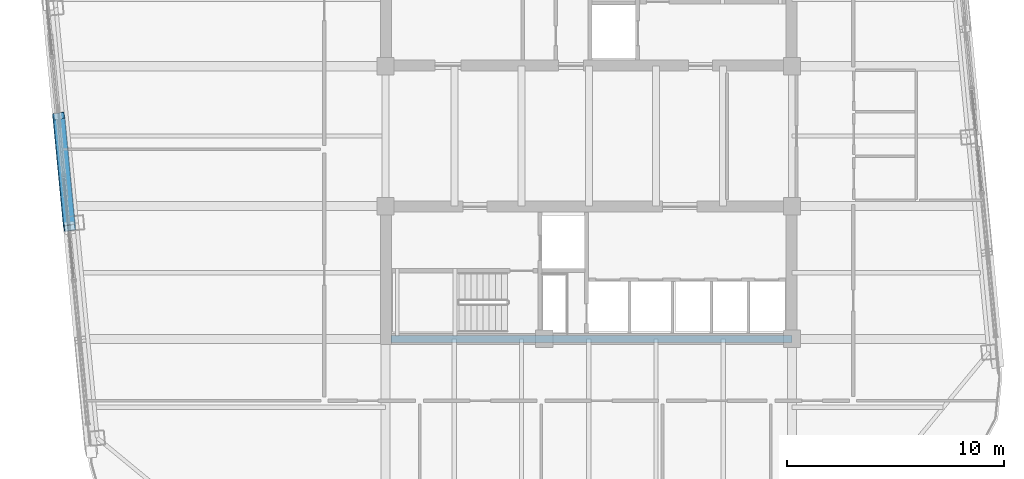
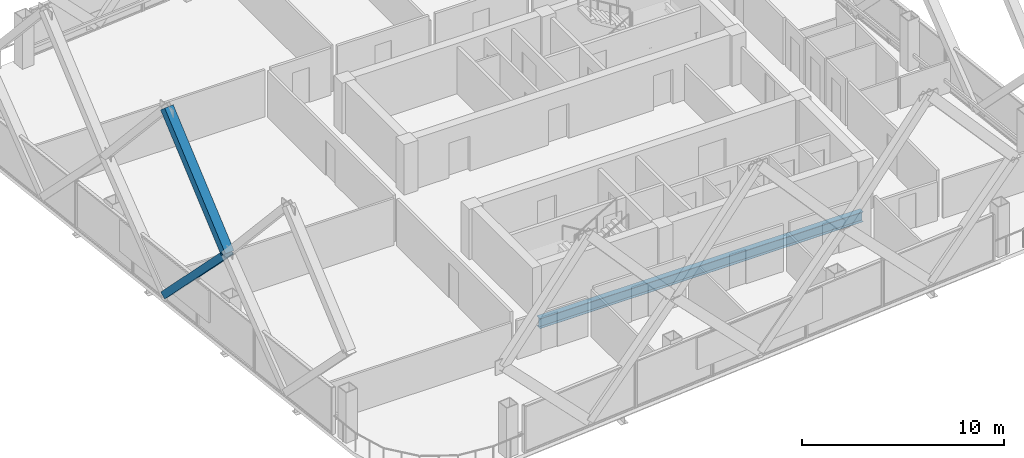
# One storey, part 8 of 34: 2 members, 1 beam.
"""IFC4 building model written with IfcOpenShell, lengths in metres."""

from ifc_helpers import new_model, si_unit, direction, frame, origin, origin_2d, place, context, subcontext, project, spatial, hollow_rectangle, i_section, extrude, material, material_profile, profile_set, type_object, element, save


model = new_model("IFC4")

# Units and contexts
model_context = context("Model", 3, precision=1e-05, world=origin(), true_north=direction((0.0, 1.0)))
body_context = subcontext(model_context, "Body", "Model", "MODEL_VIEW")
ifc_project = project(units=[si_unit("LENGTHUNIT", "METRE"), si_unit("AREAUNIT", "SQUARE_METRE"), si_unit("VOLUMEUNIT", "CUBIC_METRE"), si_unit("PLANEANGLEUNIT", "RADIAN"), si_unit("MASSUNIT", "GRAM", prefix="KILO")], contexts=[model_context])

# Site, building, storey
site_placement = place(None, origin())
site = spatial("IfcSite", under=ifc_project, at=site_placement, CompositionType="ELEMENT")
building_placement = place(site_placement, origin())
building = spatial("IfcBuilding", under=site, at=building_placement, Name="Qhalaya Broadcast Tower", CompositionType="ELEMENT")
storey_placement = place(building_placement, frame((0.0, 0.0, 168.35009765625)))
storey = spatial("IfcBuildingStorey", under=building, at=storey_placement, Name="L49", CompositionType="ELEMENT", Elevation=168.35009765625)

# Beam
ifc_material_1 = material(Name="Structural Steel ASTM A992 Grade 50", Category="steel")
ifc_material_profile_1 = material_profile(ifc_material_1, i_section(OverallWidth=0.323974609375, OverallDepth=0.612060546875, WebThickness=0.0126953125, FlangeThickness=0.01904296875, at=origin_2d()), Name="W24X104")
ifc_profile_set_1 = profile_set([ifc_material_profile_1], Name="Structural Steel ASTM A992 Grade 50")
beam_type = type_object("IfcBeamType", Name="Core Frame Tie Beam B04", PredefinedType="BEAM", material=ifc_profile_set_1)
beam_placement = place(storey_placement, frame((-9.1201171875, -8.75, -0.526123046875), z_axis=(1.0, 0.0, 0.0), x_axis=(0.0, 1.0, 0.0)))
element("IfcBeam", 1, at=beam_placement, inside=storey, type_object=beam_type, Name="L49 B04 L49-CCS3", PredefinedType="BEAM", context=body_context, shape_type="SweptSolid", body=[
    extrude(i_section(OverallWidth=0.323974609375, OverallDepth=0.612060546875, WebThickness=0.0126953125, FlangeThickness=0.01904296875, at=origin_2d()), origin(), (0.0, 0.0, 1.0), 18.4951171875),
])

# Members
ifc_material_2 = material(Name="Structural Steel ASTM A572 Grade 50", Category="steel")
ifc_material_profile_2 = material_profile(ifc_material_2, hollow_rectangle(XDim=0.39990234375, YDim=0.550048828125, WallThickness=0.02490234375, at=origin_2d()), Name="BOX 400x550x25")
ifc_profile_set_2 = profile_set([ifc_material_profile_2], Name="Structural Steel ASTM A572 Grade 50")
member_type = type_object("IfcMemberType", Name="Exoskeleton Diamond Diagonal Mid-High EX3", PredefinedType="BRACE", material=ifc_profile_set_2)
member_1_placement = place(storey_placement, frame((-24.433349609375, 1.5283203125, 0.35986328125), z_axis=(0.066501259884, -0.690632740243, 0.720141653106), x_axis=(-0.164110150372, 0.704339519888, 0.690632825218)))
element("IfcMember", 2, at=member_1_placement, inside=storey, type_object=member_type, Name="B4 Exoskeleton Diamond Brace W2-D2", PredefinedType="BRACE", context=body_context, shape_type="SweptSolid", body=[
    extrude(hollow_rectangle(XDim=0.39990234375, YDim=0.550048828125, WallThickness=0.02490234375, at=origin_2d()), origin(), (0.0, 0.0, 1.0), 7.470947265625),
])
member_2_placement = place(storey_placement, frame((-23.9365234375, -3.63134765625, 5.739990234375), z_axis=(-0.063504411003, 0.659509691471, 0.749008782752), x_axis=(0.166864240923, -0.732941460776, 0.659509772616)))
element("IfcMember", 3, at=member_2_placement, inside=storey, type_object=member_type, Name="B4 Exoskeleton Diamond Brace W2-D4", PredefinedType="BRACE", context=body_context, shape_type="SweptSolid", body=[
    extrude(hollow_rectangle(XDim=0.39990234375, YDim=0.550048828125, WallThickness=0.02490234375, at=origin_2d()), origin(), (0.0, 0.0, 1.0), 7.823486328125),
])

save(model, "model.ifc")
